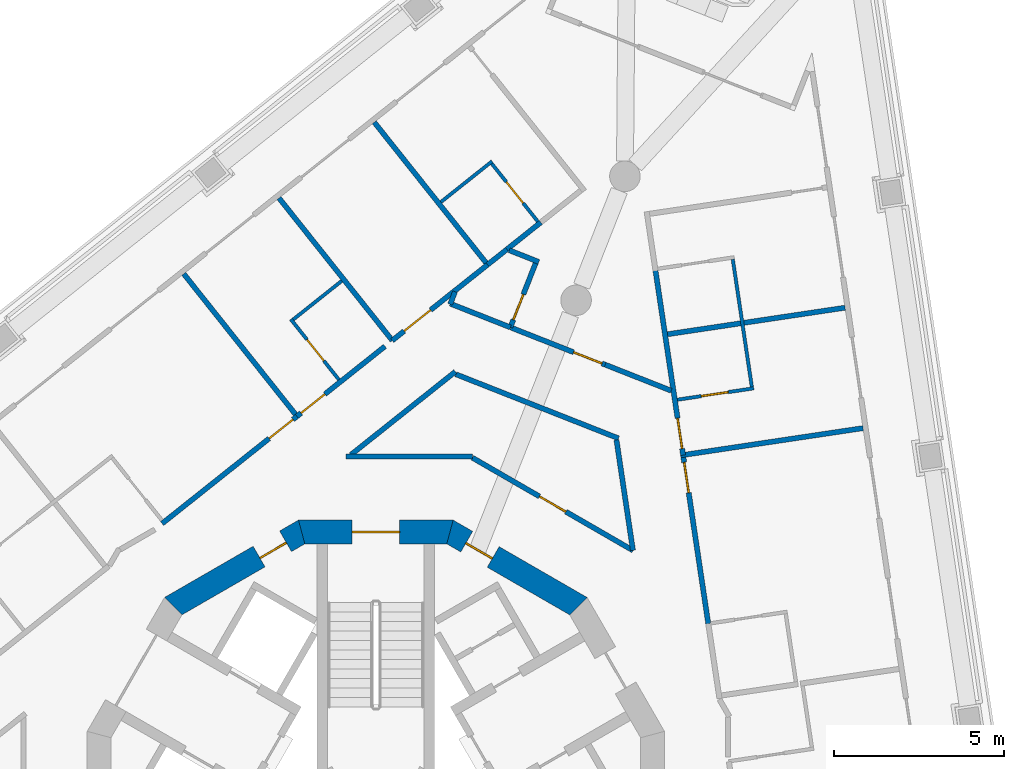
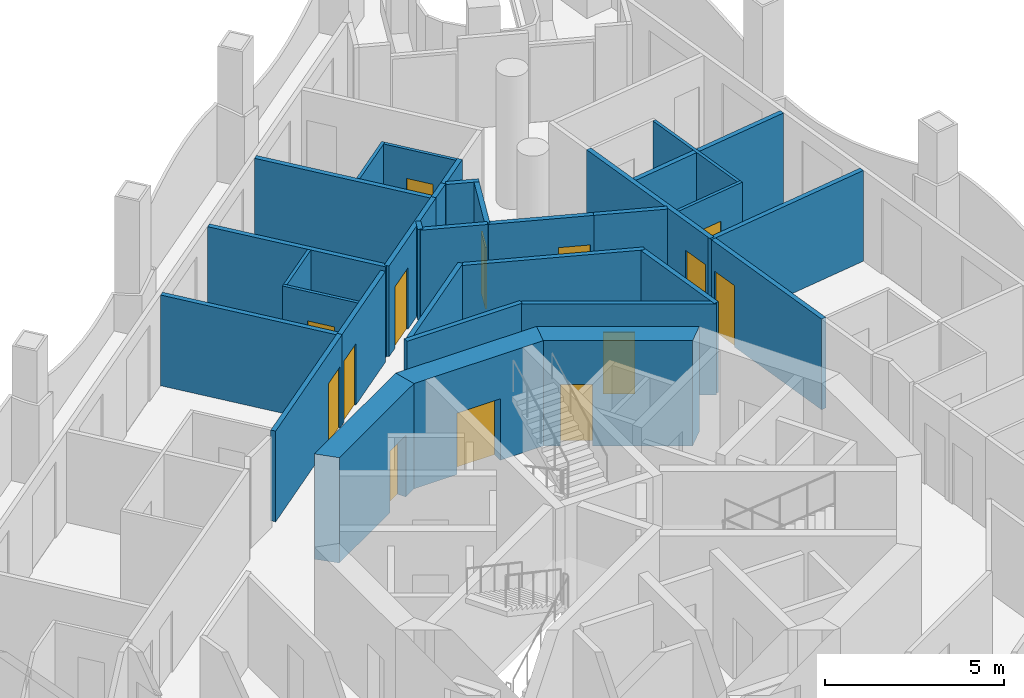
# One storey, part 8 of 16: 32 walls, 14 doors, 14 openings.
"""IFC4 building model written with IfcOpenShell, lengths in metres."""

from ifc_helpers import new_model, si_unit, direction, frame, frame_2d, origin, place, context, subcontext, project, spatial, polyline, rectangle, outline, extrude, material, layer, layer_set, type_object, element, fill, save


model = new_model("IFC4")

# Units and contexts
model_context = context("Model", 3, precision=1e-05, world=origin(), true_north=direction((0.0, 1.0)))
body_context = subcontext(model_context, "Body", "Model", "MODEL_VIEW")
ifc_project = project(units=[si_unit("LENGTHUNIT", "METRE"), si_unit("AREAUNIT", "SQUARE_METRE"), si_unit("VOLUMEUNIT", "CUBIC_METRE"), si_unit("PLANEANGLEUNIT", "RADIAN"), si_unit("MASSUNIT", "GRAM", prefix="KILO")], contexts=[model_context])

# Site, building, storey
site_placement = place(None, origin())
site = spatial("IfcSite", under=ifc_project, at=site_placement, CompositionType="ELEMENT")
building_placement = place(site_placement, origin())
building = spatial("IfcBuilding", under=site, at=building_placement, Name="Trine Commons Tower", CompositionType="ELEMENT")
storey_placement = place(building_placement, frame((0.0, 0.0, 226.800048828125)))
storey = spatial("IfcBuildingStorey", under=building, at=storey_placement, Name="L59", CompositionType="ELEMENT", Elevation=226.800048828125)

# Wall, opening, door
ifc_material_1 = material(Name="Concrete C60/75", Category="concrete")
ifc_layer_1 = layer(ifc_material_1, 0.699951171875)
ifc_layer_set_1 = layer_set([ifc_layer_1], Name="Concrete C60/75")
wall_type_1 = type_object("IfcWallType", Name="RC shear wall 700 mm, C60/75", PredefinedType="SHEAR", material=ifc_layer_set_1)
wall_1_placement = place(storey_placement, frame((86.047607421875, 68.41943359375, 0.0), z_axis=(0.0, 0.0, 1.0), x_axis=(-0.866034756103, 0.499983800959, 0.0)))
wall_1 = element("IfcWall", 1, at=wall_1_placement, inside=storey, type_object=wall_type_1, Name="Core wall CWF-03 L59", PredefinedType="SHEAR", context=body_context, shape_type="SweptSolid", body=[
    extrude(outline(polyline([(0.0, -0.35009765625), (4.55517578125, -0.35009765625), (4.36767578125, 0.35009765625), (0.1875, 0.35009765625), (0.0, -0.35009765625)])), origin(), (0.0, 0.0, 1.0), 3.599853515625),
])
opening_1_placement = place(wall_1_placement, frame((2.990966796875, 0.0, 0.0)))
opening_1 = element("IfcOpeningElement", 2, at=opening_1_placement, cuts=wall_1, Name="Opening K15.14", PredefinedType="OPENING", context=body_context, shape_type="SweptSolid", body=[
    extrude(rectangle(XDim=0.89990234375, YDim=2.10009765625, at=frame_2d((0.449951171875, 1.050048828125))), frame((0.0, 0.35986328125, 0.0), z_axis=(0.0, -1.0, 0.0), x_axis=(1.0, 0.0, 0.0)), (0.0, 0.0, 1.0), 0.719970703125),
])
ifc_material_2 = material(Name="Steel door leaf, fire-rated", Category="steel")
door_type_1 = type_object("IfcDoorType", Name="Core room door, single leaf 900 x 2100, FD30S", OperationType="SINGLE_SWING_LEFT", PredefinedType="DOOR", material=ifc_material_2)
door_1_placement = place(opening_1_placement, origin())
door_1 = element("IfcDoor", 3, at=door_1_placement, inside=storey, type_object=door_type_1, Name="Door to Core WC L59", OperationType="SINGLE_SWING_RIGHT", OverallHeight=2.10009765625, OverallWidth=0.89990234375, PredefinedType="DOOR", context=body_context, shape_type="SweptSolid", body=[
    extrude(rectangle(XDim=0.89990234375, YDim=2.10009765625, at=frame_2d((0.449951171875, 1.050048828125))), frame((0.0, 0.0751953125, 0.0), z_axis=(0.0, -1.0, 0.0), x_axis=(1.0, 0.0, 0.0)), (0.0, 0.0, 1.0), 0.050048828125),
])
fill(opening_1, door_1)

wall_2_placement = place(storey_placement, frame((82.277587890625, 70.650146484375, 0.0), z_axis=(0.0, 0.0, 1.0), x_axis=(-1.0, 0.0, 0.0)))
wall_2 = element("IfcWall", 4, at=wall_2_placement, inside=storey, type_object=wall_type_1, Name="Core wall CWF-04 L59", PredefinedType="SHEAR", context=body_context, shape_type="SweptSolid", body=[
    extrude(outline(polyline([(0.0, -0.35009765625), (4.55517578125, -0.35009765625), (4.36767578125, 0.35009765625), (0.1875, 0.35009765625), (0.0, -0.35009765625)])), origin(), (0.0, 0.0, 1.0), 3.599853515625),
])
opening_2_placement = place(wall_2_placement, frame((1.57763671875, 0.0, 0.0)))
opening_2 = element("IfcOpeningElement", 5, at=opening_2_placement, cuts=wall_2, Name="Opening K15.01", PredefinedType="OPENING", context=body_context, shape_type="SweptSolid", body=[
    extrude(rectangle(XDim=1.39990234375, YDim=2.10009765625, at=frame_2d((0.699951171875, 1.050048828125))), frame((0.0, 0.35986328125, 0.0), z_axis=(0.0, -1.0, 0.0), x_axis=(1.0, 0.0, 0.0)), (0.0, 0.0, 1.0), 0.719970703125),
])
ifc_material_3 = material(Name="Steel door leaves, fire-rated", Category="steel")
door_type_2 = type_object("IfcDoorType", Name="Stair door, double leaf 1400 x 2100, FD90", OperationType="DOUBLE_DOOR_SINGLE_SWING", PredefinedType="DOOR", material=ifc_material_3)
door_2_placement = place(opening_2_placement, origin())
door_2 = element("IfcDoor", 6, at=door_2_placement, inside=storey, type_object=door_type_2, Name="Stair door to Exit stair ST1C L59", OperationType="DOUBLE_DOOR_SINGLE_SWING", OverallHeight=2.10009765625, OverallWidth=1.39990234375, PredefinedType="DOOR", context=body_context, shape_type="SweptSolid", body=[
    extrude(rectangle(XDim=1.39990234375, YDim=2.10009765625, at=frame_2d((0.699951171875, 1.050048828125))), frame((0.0, 0.02490234375, 0.0), z_axis=(0.0, -1.0, 0.0), x_axis=(1.0, 0.0, 0.0)), (0.0, 0.0, 1.0), 0.050048828125),
])
fill(opening_2, door_2)

wall_3_placement = place(storey_placement, frame((77.8974609375, 70.697021484375, 0.0), z_axis=(0.0, 0.0, 1.0), x_axis=(-0.866034756103, -0.499983800959, 0.0)))
wall_3 = element("IfcWall", 7, at=wall_3_placement, inside=storey, type_object=wall_type_1, Name="Core wall CWF-05 L59", PredefinedType="SHEAR", context=body_context, shape_type="SweptSolid", body=[
    extrude(outline(polyline([(0.0, -0.35009765625), (4.55517578125, -0.35009765625), (4.36767578125, 0.35009765625), (0.1875, 0.35009765625), (0.0, -0.35009765625)])), origin(), (0.0, 0.0, 1.0), 3.599853515625),
])
opening_3_placement = place(wall_3_placement, frame((0.641845703125, 0.0, 0.0)))
opening_3 = element("IfcOpeningElement", 8, at=opening_3_placement, cuts=wall_3, Name="Opening K15.15", PredefinedType="OPENING", context=body_context, shape_type="SweptSolid", body=[
    extrude(rectangle(XDim=0.89990234375, YDim=2.10009765625, at=frame_2d((0.449951171875, 1.050048828125))), frame((0.0, 0.35986328125, 0.0), z_axis=(0.0, -1.0, 0.0), x_axis=(1.0, 0.0, 0.0)), (0.0, 0.0, 1.0), 0.719970703125),
])
door_3_placement = place(opening_3_placement, origin())
door_3 = element("IfcDoor", 9, at=door_3_placement, inside=storey, type_object=door_type_1, Name="Door to Accessible WC L59", OperationType="SINGLE_SWING_LEFT", OverallHeight=2.10009765625, OverallWidth=0.89990234375, PredefinedType="DOOR", context=body_context, shape_type="SweptSolid", body=[
    extrude(rectangle(XDim=0.89990234375, YDim=2.10009765625, at=frame_2d((0.449951171875, 1.050048828125))), frame((0.0, 0.0751953125, 0.0), z_axis=(0.0, -1.0, 0.0), x_axis=(1.0, 0.0, 0.0)), (0.0, 0.0, 1.0), 0.050048828125),
])
fill(opening_3, door_3)

ifc_material_4 = material(Name="Gypsum plasterboard on steel stud", Category="steel")
ifc_layer_2 = layer(ifc_material_4, 0.14990234375)
ifc_layer_set_2 = layer_set([ifc_layer_2], Name="Gypsum plasterboard on steel stud")
wall_type_2 = type_object("IfcWallType", Name="Unit and corridor wall 150 mm, EI 60", PredefinedType="PARTITIONING", material=ifc_layer_set_2)
wall_4_placement = place(storey_placement, frame((73.706787109375, 70.89892578125, 0.0), z_axis=(0.0, 0.0, 1.0), x_axis=(0.782685143932, 0.622417838327, 0.0)))
wall_4 = element("IfcWall", 10, at=wall_4_placement, inside=storey, type_object=wall_type_2, Name="Partition 036", PredefinedType="PARTITIONING", context=body_context, shape_type="SweptSolid", body=[
    extrude(rectangle(XDim=5.078857421875, YDim=0.14990234375, at=frame_2d((2.53955078125, 0.0))), origin(), (0.0, 0.0, 1.0), 3.099853515625),
])
opening_4_placement = place(wall_4_placement, frame((4.025146484375, 0.0, 0.0)))
opening_4 = element("IfcOpeningElement", 11, at=opening_4_placement, cuts=wall_4, Name="Opening D-6C08", PredefinedType="OPENING", context=body_context, shape_type="SweptSolid", body=[
    extrude(rectangle(XDim=0.89990234375, YDim=2.10009765625, at=frame_2d((0.449951171875, 1.050048828125))), frame((0.0, 0.0849609375, 0.0), z_axis=(0.0, -1.0, 0.0), x_axis=(1.0, 0.0, 0.0)), (0.0, 0.0, 1.0), 0.169921875),
])
ifc_material_5 = material(Name="Timber fire door set", Category="wood")
door_type_3 = type_object("IfcDoorType", Name="Bedroom door 900 x 2100, FD30S", OperationType="NOTDEFINED", PredefinedType="DOOR", material=ifc_material_5)
door_4_placement = place(opening_4_placement, origin())
door_4 = element("IfcDoor", 12, at=door_4_placement, inside=storey, type_object=door_type_3, Name="Door D-6C08", OperationType="SINGLE_SWING_RIGHT", OverallHeight=2.10009765625, OverallWidth=0.89990234375, PredefinedType="DOOR", context=body_context, shape_type="SweptSolid", body=[
    extrude(rectangle(XDim=0.89990234375, YDim=2.10009765625, at=frame_2d((0.449951171875, 1.050048828125))), frame((0.0, 0.02490234375, 0.0), z_axis=(0.0, -1.0, 0.0), x_axis=(1.0, 0.0, 0.0)), (0.0, 0.0, 1.0), 0.050048828125),
])
fill(opening_4, door_4)

# Walls
wall_5_placement = place(storey_placement, frame((74.343017578125, 78.252685546875, 0.0), z_axis=(0.0, 0.0, 1.0), x_axis=(0.622444463897, -0.782663969634, 0.0)))
element("IfcWall", 13, at=wall_5_placement, inside=storey, type_object=wall_type_2, Name="Partition 037", PredefinedType="PARTITIONING", context=body_context, shape_type="SweptSolid", body=[
    extrude(rectangle(XDim=5.284423828125, YDim=0.14990234375, at=frame_2d((2.64208984375, 0.0))), origin(), (0.0, 0.0, 1.0), 3.099853515625),
])
wall_6_placement = place(storey_placement, frame((77.14892578125, 80.485595703125, 0.0), z_axis=(0.0, 0.0, 1.0), x_axis=(0.622587598128, -0.782550115109, 0.0)))
element("IfcWall", 14, at=wall_6_placement, inside=storey, type_object=wall_type_2, Name="Partition 044", PredefinedType="PARTITIONING", context=body_context, shape_type="SweptSolid", body=[
    extrude(rectangle(XDim=5.360107421875, YDim=0.14990234375, at=frame_2d((2.68017578125, 0.0))), origin(), (0.0, 0.0, 1.0), 3.099853515625),
])

# Wall, opening, door
wall_7_placement = place(storey_placement, frame((77.676025390625, 74.055908203125, 0.0), z_axis=(0.0, 0.0, 1.0), x_axis=(0.782691617443, 0.622409697855, 0.0)))
wall_7 = element("IfcWall", 15, at=wall_7_placement, inside=storey, type_object=wall_type_2, Name="Partition 048", PredefinedType="PARTITIONING", context=body_context, shape_type="SweptSolid", body=[
    extrude(rectangle(XDim=3.31298828125, YDim=0.14990234375, at=frame_2d((1.656494140625, 0.0))), origin(), (0.0, 0.0, 1.0), 3.099853515625),
])
opening_5_placement = place(wall_7_placement, frame((0.153564453125, 0.0, 0.0)))
opening_5 = element("IfcOpeningElement", 16, at=opening_5_placement, cuts=wall_7, Name="Opening D-6C09", PredefinedType="OPENING", context=body_context, shape_type="SweptSolid", body=[
    extrude(rectangle(XDim=0.89990234375, YDim=2.10009765625, at=frame_2d((0.449951171875, 1.050048828125))), frame((0.0, 0.0849609375, 0.0), z_axis=(0.0, -1.0, 0.0), x_axis=(1.0, 0.0, 0.0)), (0.0, 0.0, 1.0), 0.169921875),
])
door_5_placement = place(opening_5_placement, origin())
door_5 = element("IfcDoor", 17, at=door_5_placement, inside=storey, type_object=door_type_3, Name="Door D-6C09", OperationType="SINGLE_SWING_LEFT", OverallHeight=2.10009765625, OverallWidth=0.89990234375, PredefinedType="DOOR", context=body_context, shape_type="SweptSolid", body=[
    extrude(rectangle(XDim=0.89990234375, YDim=2.10009765625, at=frame_2d((0.449951171875, 1.050048828125))), frame((0.0, 0.02490234375, 0.0), z_axis=(0.0, -1.0, 0.0), x_axis=(1.0, 0.0, 0.0)), (0.0, 0.0, 1.0), 0.050048828125),
])
fill(opening_5, door_5)

# Walls
wall_8_placement = place(storey_placement, frame((79.125, 72.875, 0.0), z_axis=(0.0, 0.0, 1.0), x_axis=(1.0, 0.0, 0.0)))
element("IfcWall", 18, at=wall_8_placement, inside=storey, type_object=wall_type_2, Name="Partition 050", PredefinedType="PARTITIONING", context=body_context, shape_type="SweptSolid", body=[
    extrude(rectangle(XDim=3.72998046875, YDim=0.14990234375, at=frame_2d((1.864990234375, 0.0))), origin(), (0.0, 0.0, 1.0), 3.099853515625),
])
wall_9_placement = place(storey_placement, frame((79.2626953125, 72.921630859375, 0.0), z_axis=(0.0, 0.0, 1.0), x_axis=(0.782518607784, 0.622627198629, 0.0)))
element("IfcWall", 19, at=wall_9_placement, inside=storey, type_object=wall_type_2, Name="Partition 051", PredefinedType="PARTITIONING", context=body_context, shape_type="SweptSolid", body=[
    extrude(rectangle(XDim=3.934814453125, YDim=0.14990234375, at=frame_2d((1.96728515625, 0.0))), origin(), (0.0, 0.0, 1.0), 3.099853515625),
])
wall_10_placement = place(storey_placement, frame((79.954833984375, 82.7177734375, 0.0), z_axis=(0.0, 0.0, 1.0), x_axis=(0.622585933561, -0.782551439416, 0.0)))
element("IfcWall", 20, at=wall_10_placement, inside=storey, type_object=wall_type_2, Name="Partition 053", PredefinedType="PARTITIONING", context=body_context, shape_type="SweptSolid", body=[
    extrude(rectangle(XDim=5.28515625, YDim=0.14990234375, at=frame_2d((2.642578125, 0.0))), origin(), (0.0, 0.0, 1.0), 3.099853515625),
])

# Wall, opening, door
wall_11_placement = place(storey_placement, frame((80.48291015625, 76.2890625, 0.0), z_axis=(0.0, 0.0, 1.0), x_axis=(0.782683898342, 0.622419404643, 0.0)))
wall_11 = element("IfcWall", 21, at=wall_11_placement, inside=storey, type_object=wall_type_2, Name="Partition 054", PredefinedType="PARTITIONING", context=body_context, shape_type="SweptSolid", body=[
    extrude(rectangle(XDim=3.589111328125, YDim=0.14990234375, at=frame_2d((1.79443359375, 0.0))), origin(), (0.0, 0.0, 1.0), 3.099853515625),
])
opening_6_placement = place(wall_11_placement, frame((0.447265625, 0.0, 0.0)))
opening_6 = element("IfcOpeningElement", 22, at=opening_6_placement, cuts=wall_11, Name="Opening D-6C10", PredefinedType="OPENING", context=body_context, shape_type="SweptSolid", body=[
    extrude(rectangle(XDim=1.0, YDim=2.10009765625, at=frame_2d((0.5, 1.050048828125))), frame((0.0, 0.0849609375, 0.0), z_axis=(0.0, -1.0, 0.0), x_axis=(1.0, 0.0, 0.0)), (0.0, 0.0, 1.0), 0.169921875),
])
ifc_material_6 = material(Name="Painted timber", Category="wood")
door_type_4 = type_object("IfcDoorType", Name="Amenity room door 1000 x 2100, NOT RATED", OperationType="NOTDEFINED", PredefinedType="DOOR", material=ifc_material_6)
door_6_placement = place(opening_6_placement, origin())
door_6 = element("IfcDoor", 23, at=door_6_placement, inside=storey, type_object=door_type_4, Name="Door D-6C10", OperationType="SINGLE_SWING_LEFT", OverallHeight=2.10009765625, OverallWidth=1.0, PredefinedType="DOOR", context=body_context, shape_type="SweptSolid", body=[
    extrude(rectangle(XDim=1.0, YDim=2.10009765625, at=frame_2d((0.5, 1.050048828125))), frame((0.0, 0.02490234375, 0.0), z_axis=(0.0, -1.0, 0.0), x_axis=(1.0, 0.0, 0.0)), (0.0, 0.0, 1.0), 0.050048828125),
])
fill(opening_6, door_6)

# Walls
wall_12_placement = place(storey_placement, frame((82.19189453125, 77.3759765625, 0.0), z_axis=(0.0, 0.0, 1.0), x_axis=(0.93022308185, -0.366994574882, 0.0)))
element("IfcWall", 24, at=wall_12_placement, inside=storey, type_object=wall_type_2, Name="Partition 057", PredefinedType="PARTITIONING", context=body_context, shape_type="SweptSolid", body=[
    extrude(rectangle(XDim=1.9072265625, YDim=0.14990234375, at=frame_2d((0.95361328125, 0.0))), origin(), (0.0, 0.0, 1.0), 3.099853515625),
])
wall_13_placement = place(storey_placement, frame((82.188232421875, 77.3544921875, 0.0), z_axis=(0.0, 0.0, 1.0), x_axis=(0.365066779339, 0.930981335271, 0.0)))
element("IfcWall", 25, at=wall_13_placement, inside=storey, type_object=wall_type_2, Name="Partition 058", PredefinedType="PARTITIONING", context=body_context, shape_type="SweptSolid", body=[
    extrude(rectangle(XDim=0.39990234375, YDim=0.14990234375, at=frame_2d((0.199951171875, 0.0))), origin(), (0.0, 0.0, 1.0), 3.099853515625),
])
wall_14_placement = place(storey_placement, frame((82.352783203125, 75.297607421875, 0.0), z_axis=(0.0, 0.0, 1.0), x_axis=(0.930366278921, -0.366631404883, 0.0)))
element("IfcWall", 26, at=wall_14_placement, inside=storey, type_object=wall_type_2, Name="Partition 059", PredefinedType="PARTITIONING", context=body_context, shape_type="SweptSolid", body=[
    extrude(rectangle(XDim=5.15283203125, YDim=0.14990234375, at=frame_2d((2.576416015625, 0.0))), origin(), (0.0, 0.0, 1.0), 3.099853515625),
])

# Wall, opening, door
wall_15_placement = place(storey_placement, frame((82.844970703125, 72.83740234375, 0.0), z_axis=(0.0, 0.0, 1.0), x_axis=(0.865990633405, -0.500060219228, 0.0)))
wall_15 = element("IfcWall", 27, at=wall_15_placement, inside=storey, type_object=wall_type_2, Name="Partition 062", PredefinedType="PARTITIONING", context=body_context, shape_type="SweptSolid", body=[
    extrude(rectangle(XDim=5.464111328125, YDim=0.14990234375, at=frame_2d((2.73193359375, 0.0))), origin(), (0.0, 0.0, 1.0), 3.099853515625),
])
opening_7_placement = place(wall_15_placement, frame((2.280517578125, 0.0, 0.0)))
opening_7 = element("IfcOpeningElement", 28, at=opening_7_placement, cuts=wall_15, Name="Opening D-6C27", PredefinedType="OPENING", context=body_context, shape_type="SweptSolid", body=[
    extrude(rectangle(XDim=0.89990234375, YDim=2.10009765625, at=frame_2d((0.449951171875, 1.050048828125))), frame((0.0, 0.0849609375, 0.0), z_axis=(0.0, -1.0, 0.0), x_axis=(1.0, 0.0, 0.0)), (0.0, 0.0, 1.0), 0.169921875),
])
door_type_5 = type_object("IfcDoorType", Name="Service door 900 x 2100, FD30S", OperationType="NOTDEFINED", PredefinedType="DOOR", material=ifc_material_5)
door_7_placement = place(opening_7_placement, origin())
door_7 = element("IfcDoor", 29, at=door_7_placement, inside=storey, type_object=door_type_5, Name="Door D-6C27", OperationType="SINGLE_SWING_LEFT", OverallHeight=2.10009765625, OverallWidth=0.89990234375, PredefinedType="DOOR", context=body_context, shape_type="SweptSolid", body=[
    extrude(rectangle(XDim=0.89990234375, YDim=2.10009765625, at=frame_2d((0.449951171875, 1.050048828125))), frame((0.0, 0.02490234375, 0.0), z_axis=(0.0, -1.0, 0.0), x_axis=(1.0, 0.0, 0.0)), (0.0, 0.0, 1.0), 0.050048828125),
])
fill(opening_7, door_7)

# Walls
wall_16_placement = place(storey_placement, frame((83.2919921875, 78.52294921875, 0.0), z_axis=(0.0, 0.0, 1.0), x_axis=(0.782961678727, 0.622069939512, 0.0)))
element("IfcWall", 30, at=wall_16_placement, inside=storey, type_object=wall_type_2, Name="Partition 065", PredefinedType="PARTITIONING", context=body_context, shape_type="SweptSolid", body=[
    extrude(rectangle(XDim=0.726806640625, YDim=0.14990234375, at=frame_2d((0.36328125, 0.0))), origin(), (0.0, 0.0, 1.0), 3.099853515625),
])
wall_17_placement = place(storey_placement, frame((83.930908203125, 78.947509765625, 0.0), z_axis=(0.0, 0.0, 1.0), x_axis=(0.930564496223, -0.366128008175, 0.0)))
element("IfcWall", 31, at=wall_17_placement, inside=storey, type_object=wall_type_2, Name="Partition 067", PredefinedType="PARTITIONING", context=body_context, shape_type="SweptSolid", body=[
    extrude(rectangle(XDim=0.936767578125, YDim=0.14990234375, at=frame_2d((0.46826171875, 0.0))), origin(), (0.0, 0.0, 1.0), 3.099853515625),
])
wall_18_placement = place(storey_placement, frame((83.861083984375, 78.97509765625, 0.0), z_axis=(0.0, 0.0, 1.0), x_axis=(0.782507881156, 0.622640679629, 0.0)))
element("IfcWall", 32, at=wall_18_placement, inside=storey, type_object=wall_type_2, Name="Partition 068", PredefinedType="PARTITIONING", context=body_context, shape_type="SweptSolid", body=[
    extrude(rectangle(XDim=1.276611328125, YDim=0.14990234375, at=frame_2d((0.63818359375, 0.0))), origin(), (0.0, 0.0, 1.0), 3.099853515625),
])

# Wall, opening, door
wall_19_placement = place(storey_placement, frame((83.962890625, 76.677978515625, 0.0), z_axis=(0.0, 0.0, 1.0), x_axis=(0.366688940458, 0.9303436037, 0.0)))
wall_19 = element("IfcWall", 33, at=wall_19_placement, inside=storey, type_object=wall_type_2, Name="Partition 069", PredefinedType="PARTITIONING", context=body_context, shape_type="SweptSolid", body=[
    extrude(rectangle(XDim=2.025390625, YDim=0.14990234375, at=frame_2d((1.0126953125, 0.0))), origin(), (0.0, 0.0, 1.0), 3.099853515625),
])
opening_8_placement = place(wall_19_placement, frame((0.24267578125, 0.0, 0.0)))
opening_8 = element("IfcOpeningElement", 34, at=opening_8_placement, cuts=wall_19, Name="Opening D-6C04", PredefinedType="OPENING", context=body_context, shape_type="SweptSolid", body=[
    extrude(rectangle(XDim=0.800048828125, YDim=2.10009765625, at=frame_2d((0.39990234375, 1.050048828125))), frame((0.0, 0.0849609375, 0.0), z_axis=(0.0, -1.0, 0.0), x_axis=(1.0, 0.0, 0.0)), (0.0, 0.0, 1.0), 0.169921875),
])
door_type_6 = type_object("IfcDoorType", Name="Toilet door 800 x 2100, NOT RATED", OperationType="NOTDEFINED", PredefinedType="DOOR", material=ifc_material_6)
door_8_placement = place(opening_8_placement, origin())
door_8 = element("IfcDoor", 35, at=door_8_placement, inside=storey, type_object=door_type_6, Name="Door D-6C04", OperationType="SINGLE_SWING_LEFT", OverallHeight=2.10009765625, OverallWidth=0.800048828125, PredefinedType="DOOR", context=body_context, shape_type="SweptSolid", body=[
    extrude(rectangle(XDim=0.800048828125, YDim=2.10009765625, at=frame_2d((0.39990234375, 1.050048828125))), frame((0.0, 0.02490234375, 0.0), z_axis=(0.0, -1.0, 0.0), x_axis=(1.0, 0.0, 0.0)), (0.0, 0.0, 1.0), 0.050048828125),
])
fill(opening_8, door_8)

wall_20_placement = place(storey_placement, frame((83.97705078125, 76.672119140625, 0.0), z_axis=(0.0, 0.0, 1.0), x_axis=(0.930513911047, -0.36625655127, 0.0)))
wall_20 = element("IfcWall", 36, at=wall_20_placement, inside=storey, type_object=wall_type_2, Name="Partition 070", PredefinedType="PARTITIONING", context=body_context, shape_type="SweptSolid", body=[
    extrude(rectangle(XDim=2.987548828125, YDim=0.14990234375, at=frame_2d((1.49365234375, 0.0))), origin(), (0.0, 0.0, 1.0), 3.099853515625),
])
opening_9_placement = place(wall_20_placement, frame((1.987548828125, 0.0, 0.0)))
opening_9 = element("IfcOpeningElement", 37, at=opening_9_placement, cuts=wall_20, Name="Opening D-6C01", PredefinedType="OPENING", context=body_context, shape_type="SweptSolid", body=[
    extrude(rectangle(XDim=0.89990234375, YDim=2.10009765625, at=frame_2d((0.449951171875, 1.050048828125))), frame((0.0, 0.0849609375, 0.0), z_axis=(0.0, -1.0, 0.0), x_axis=(1.0, 0.0, 0.0)), (0.0, 0.0, 1.0), 0.169921875),
])
door_type_7 = type_object("IfcDoorType", Name="Cluster entrance door 900 x 2100, FD30S", OperationType="NOTDEFINED", PredefinedType="DOOR", material=ifc_material_5)
door_9_placement = place(opening_9_placement, origin())
door_9 = element("IfcDoor", 38, at=door_9_placement, inside=storey, type_object=door_type_7, Name="Door D-6C01", OperationType="SINGLE_SWING_RIGHT", OverallHeight=2.10009765625, OverallWidth=0.89990234375, PredefinedType="DOOR", context=body_context, shape_type="SweptSolid", body=[
    extrude(rectangle(XDim=0.89990234375, YDim=2.10009765625, at=frame_2d((0.449951171875, 1.050048828125))), frame((0.0, 0.02490234375, 0.0), z_axis=(0.0, -1.0, 0.0), x_axis=(1.0, 0.0, 0.0)), (0.0, 0.0, 1.0), 0.050048828125),
])
fill(opening_9, door_9)

# Walls
wall_21_placement = place(storey_placement, frame((86.757080078125, 75.577880859375, 0.0), z_axis=(0.0, 0.0, 1.0), x_axis=(0.930326271928, -0.366732910659, 0.0)))
element("IfcWall", 39, at=wall_21_placement, inside=storey, type_object=wall_type_2, Name="Partition 079", PredefinedType="PARTITIONING", context=body_context, shape_type="SweptSolid", body=[
    extrude(rectangle(XDim=2.089599609375, YDim=0.14990234375, at=frame_2d((1.044921875, 0.0))), origin(), (0.0, 0.0, 1.0), 3.099853515625),
])
wall_22_placement = place(storey_placement, frame((87.088134765625, 73.36181640625, 0.0), z_axis=(0.0, 0.0, 1.0), x_axis=(0.147629393442, -0.989042750437, 0.0)))
element("IfcWall", 40, at=wall_22_placement, inside=storey, type_object=wall_type_2, Name="Partition 081", PredefinedType="PARTITIONING", context=body_context, shape_type="SweptSolid", body=[
    extrude(rectangle(XDim=3.291015625, YDim=0.14990234375, at=frame_2d((1.6455078125, 0.0))), origin(), (0.0, 0.0, 1.0), 3.099853515625),
])

# Wall, opening, door
wall_23_placement = place(storey_placement, frame((88.23095703125, 78.39599609375, 0.0), z_axis=(0.0, 0.0, 1.0), x_axis=(0.147922673627, -0.988998929538, 0.0)))
wall_23 = element("IfcWall", 41, at=wall_23_placement, inside=storey, type_object=wall_type_2, Name="Partition 085", PredefinedType="PARTITIONING", context=body_context, shape_type="SweptSolid", body=[
    extrude(rectangle(XDim=5.5439453125, YDim=0.14990234375, at=frame_2d((2.77197265625, 0.0))), origin(), (0.0, 0.0, 1.0), 3.099853515625),
])
opening_10_placement = place(wall_23_placement, frame((4.4462890625, 0.0, 0.0)))
opening_10 = element("IfcOpeningElement", 42, at=opening_10_placement, cuts=wall_23, Name="Opening D-6C13", PredefinedType="OPENING", context=body_context, shape_type="SweptSolid", body=[
    extrude(rectangle(XDim=0.89990234375, YDim=2.10009765625, at=frame_2d((0.449951171875, 1.050048828125))), frame((0.0, 0.0849609375, 0.0), z_axis=(0.0, -1.0, 0.0), x_axis=(1.0, 0.0, 0.0)), (0.0, 0.0, 1.0), 0.169921875),
])
door_10_placement = place(opening_10_placement, origin())
door_10 = element("IfcDoor", 43, at=door_10_placement, inside=storey, type_object=door_type_3, Name="Door D-6C13", OperationType="SINGLE_SWING_RIGHT", OverallHeight=2.10009765625, OverallWidth=0.89990234375, PredefinedType="DOOR", context=body_context, shape_type="SweptSolid", body=[
    extrude(rectangle(XDim=0.89990234375, YDim=2.10009765625, at=frame_2d((0.449951171875, 1.050048828125))), frame((0.0, 0.02490234375, 0.0), z_axis=(0.0, -1.0, 0.0), x_axis=(1.0, 0.0, 0.0)), (0.0, 0.0, 1.0), 0.050048828125),
])
fill(opening_10, door_10)

# Walls
wall_24_placement = place(storey_placement, frame((88.59423828125, 76.47509765625, 0.0), z_axis=(0.0, 0.0, 1.0), x_axis=(0.989020900083, 0.147775705715, 0.0)))
element("IfcWall", 44, at=wall_24_placement, inside=storey, type_object=wall_type_2, Name="Partition 087", PredefinedType="PARTITIONING", context=body_context, shape_type="SweptSolid", body=[
    extrude(rectangle(XDim=5.28515625, YDim=0.14990234375, at=frame_2d((2.642578125, 0.0))), origin(), (0.0, 0.0, 1.0), 3.099853515625),
])
wall_25_placement = place(storey_placement, frame((88.975830078125, 72.906005859375, 0.0), z_axis=(0.0, 0.0, 1.0), x_axis=(0.989026447028, 0.147738576813, 0.0)))
element("IfcWall", 45, at=wall_25_placement, inside=storey, type_object=wall_type_2, Name="Partition 090", PredefinedType="PARTITIONING", context=body_context, shape_type="SweptSolid", body=[
    extrude(rectangle(XDim=5.43505859375, YDim=0.14990234375, at=frame_2d((2.717529296875, 0.0))), origin(), (0.0, 0.0, 1.0), 3.099853515625),
])

# Wall, opening, door
wall_26_placement = place(storey_placement, frame((89.06103515625, 72.8466796875, 0.0), z_axis=(0.0, 0.0, 1.0), x_axis=(0.147716396188, -0.989029760067, 0.0)))
wall_26 = element("IfcWall", 46, at=wall_26_placement, inside=storey, type_object=wall_type_2, Name="Partition 091", PredefinedType="PARTITIONING", context=body_context, shape_type="SweptSolid", body=[
    extrude(rectangle(XDim=4.955078125, YDim=0.14990234375, at=frame_2d((2.4775390625, 0.0))), origin(), (0.0, 0.0, 1.0), 3.099853515625),
])
opening_11_placement = place(wall_26_placement, frame((0.14990234375, 0.0, 0.0)))
opening_11 = element("IfcOpeningElement", 47, at=opening_11_placement, cuts=wall_26, Name="Opening D-6C14", PredefinedType="OPENING", context=body_context, shape_type="SweptSolid", body=[
    extrude(rectangle(XDim=0.89990234375, YDim=2.10009765625, at=frame_2d((0.449951171875, 1.050048828125))), frame((0.0, 0.0849609375, 0.0), z_axis=(0.0, -1.0, 0.0), x_axis=(1.0, 0.0, 0.0)), (0.0, 0.0, 1.0), 0.169921875),
])
door_11_placement = place(opening_11_placement, origin())
door_11 = element("IfcDoor", 48, at=door_11_placement, inside=storey, type_object=door_type_3, Name="Door D-6C14", OperationType="SINGLE_SWING_LEFT", OverallHeight=2.10009765625, OverallWidth=0.89990234375, PredefinedType="DOOR", context=body_context, shape_type="SweptSolid", body=[
    extrude(rectangle(XDim=0.89990234375, YDim=2.10009765625, at=frame_2d((0.449951171875, 1.050048828125))), frame((0.0, 0.02490234375, 0.0), z_axis=(0.0, -1.0, 0.0), x_axis=(1.0, 0.0, 0.0)), (0.0, 0.0, 1.0), 0.050048828125),
])
fill(opening_11, door_11)

ifc_layer_3 = layer(ifc_material_4, 0.10009765625)
ifc_layer_set_3 = layer_set([ifc_layer_3], Name="Gypsum plasterboard on steel stud")
wall_type_3 = type_object("IfcWallType", Name="Unit partition 100 mm, no rating", PredefinedType="PARTITIONING", material=ifc_layer_set_3)
wall_27_placement = place(storey_placement, frame((77.496826171875, 76.916015625, 0.0), z_axis=(0.0, 0.0, 1.0), x_axis=(0.622625135388, -0.78252024944, 0.0)))
wall_27 = element("IfcWall", 49, at=wall_27_placement, inside=storey, type_object=wall_type_3, Name="Partition 046", PredefinedType="PARTITIONING", context=body_context, shape_type="SweptSolid", body=[
    extrude(rectangle(XDim=2.275146484375, YDim=0.10009765625, at=frame_2d((1.1376953125, 0.0))), origin(), (0.0, 0.0, 1.0), 3.099853515625),
])
opening_12_placement = place(wall_27_placement, frame((0.7626953125, 0.0, 0.0)))
opening_12 = element("IfcOpeningElement", 50, at=opening_12_placement, cuts=wall_27, Name="Opening D-6C33", PredefinedType="OPENING", context=body_context, shape_type="SweptSolid", body=[
    extrude(rectangle(XDim=0.800048828125, YDim=2.10009765625, at=frame_2d((0.39990234375, 1.050048828125))), frame((0.0, 0.06005859375, 0.0), z_axis=(0.0, -1.0, 0.0), x_axis=(1.0, 0.0, 0.0)), (0.0, 0.0, 1.0), 0.1201171875),
])
door_type_8 = type_object("IfcDoorType", Name="Internal door 800 x 2100, NOT RATED", OperationType="NOTDEFINED", PredefinedType="DOOR", material=ifc_material_6)
door_12_placement = place(opening_12_placement, frame((0.800048828125, 0.0, 0.0), z_axis=(0.0, 0.0, 1.0), x_axis=(-1.0, 0.0, 0.0)))
door_12 = element("IfcDoor", 51, at=door_12_placement, inside=storey, type_object=door_type_8, Name="Door D-6C33", OperationType="SINGLE_SWING_LEFT", OverallHeight=2.10009765625, OverallWidth=0.800048828125, PredefinedType="DOOR", context=body_context, shape_type="SweptSolid", body=[
    extrude(rectangle(XDim=0.800048828125, YDim=2.10009765625, at=frame_2d((0.39990234375, 1.050048828125))), frame((0.0, 0.02490234375, 0.0), z_axis=(0.0, -1.0, 0.0), x_axis=(1.0, 0.0, 0.0)), (0.0, 0.0, 1.0), 0.050048828125),
])
fill(opening_12, door_12)

# Walls
wall_28_placement = place(storey_placement, frame((77.567138671875, 76.908203125, 0.0), z_axis=(0.0, 0.0, 1.0), x_axis=(0.782627716851, 0.622490045557, 0.0)))
element("IfcWall", 52, at=wall_28_placement, inside=storey, type_object=wall_type_3, Name="Partition 047", PredefinedType="PARTITIONING", context=body_context, shape_type="SweptSolid", body=[
    extrude(rectangle(XDim=1.824951171875, YDim=0.10009765625, at=frame_2d((0.91259765625, 0.0))), origin(), (0.0, 0.0, 1.0), 3.099853515625),
])
wall_29_placement = place(storey_placement, frame((81.918701171875, 80.36962890625, 0.0), z_axis=(0.0, 0.0, 1.0), x_axis=(0.782536451706, 0.622604771706, 0.0)))
element("IfcWall", 53, at=wall_29_placement, inside=storey, type_object=wall_type_3, Name="Partition 056", PredefinedType="PARTITIONING", context=body_context, shape_type="SweptSolid", body=[
    extrude(rectangle(XDim=1.925048828125, YDim=0.10009765625, at=frame_2d((0.96240234375, 0.0))), origin(), (0.0, 0.0, 1.0), 3.099853515625),
])

# Wall, opening, door
wall_30_placement = place(storey_placement, frame((83.4169921875, 81.497802734375, 0.0), z_axis=(0.0, 0.0, 1.0), x_axis=(0.622598555727, -0.782541397248, 0.0)))
wall_30 = element("IfcWall", 54, at=wall_30_placement, inside=storey, type_object=wall_type_3, Name="Partition 066", PredefinedType="PARTITIONING", context=body_context, shape_type="SweptSolid", body=[
    extrude(rectangle(XDim=2.175048828125, YDim=0.10009765625, at=frame_2d((1.08740234375, 0.0))), origin(), (0.0, 0.0, 1.0), 3.099853515625),
])
opening_13_placement = place(wall_30_placement, frame((0.6875, 0.0, 0.0)))
opening_13 = element("IfcOpeningElement", 55, at=opening_13_placement, cuts=wall_30, Name="Opening D-6C34", PredefinedType="OPENING", context=body_context, shape_type="SweptSolid", body=[
    extrude(rectangle(XDim=0.800048828125, YDim=2.10009765625, at=frame_2d((0.39990234375, 1.050048828125))), frame((0.0, 0.06005859375, 0.0), z_axis=(0.0, -1.0, 0.0), x_axis=(1.0, 0.0, 0.0)), (0.0, 0.0, 1.0), 0.1201171875),
])
door_13_placement = place(opening_13_placement, origin())
door_13 = element("IfcDoor", 56, at=door_13_placement, inside=storey, type_object=door_type_8, Name="Door D-6C34", OperationType="SINGLE_SWING_LEFT", OverallHeight=2.10009765625, OverallWidth=0.800048828125, PredefinedType="DOOR", context=body_context, shape_type="SweptSolid", body=[
    extrude(rectangle(XDim=0.800048828125, YDim=2.10009765625, at=frame_2d((0.39990234375, 1.050048828125))), frame((0.0, 0.02490234375, 0.0), z_axis=(0.0, -1.0, 0.0), x_axis=(1.0, 0.0, 0.0)), (0.0, 0.0, 1.0), 0.050048828125),
])
fill(opening_13, door_13)

wall_31_placement = place(storey_placement, frame((88.882080078125, 74.546142578125, 0.0), z_axis=(0.0, 0.0, 1.0), x_axis=(0.989025888794, 0.147742313828, 0.0)))
wall_31 = element("IfcWall", 57, at=wall_31_placement, inside=storey, type_object=wall_type_3, Name="Partition 089", PredefinedType="PARTITIONING", context=body_context, shape_type="SweptSolid", body=[
    extrude(rectangle(XDim=2.275390625, YDim=0.10009765625, at=frame_2d((1.1376953125, 0.0))), origin(), (0.0, 0.0, 1.0), 3.099853515625),
])
opening_14_placement = place(wall_31_placement, frame((0.712646484375, 0.0, 0.0)))
opening_14 = element("IfcOpeningElement", 58, at=opening_14_placement, cuts=wall_31, Name="Opening D-6C36", PredefinedType="OPENING", context=body_context, shape_type="SweptSolid", body=[
    extrude(rectangle(XDim=0.800048828125, YDim=2.10009765625, at=frame_2d((0.39990234375, 1.050048828125))), frame((0.0, 0.06005859375, 0.0), z_axis=(0.0, -1.0, 0.0), x_axis=(1.0, 0.0, 0.0)), (0.0, 0.0, 1.0), 0.1201171875),
])
door_14_placement = place(opening_14_placement, frame((0.800048828125, 0.0, 0.0), z_axis=(0.0, 0.0, 1.0), x_axis=(-1.0, 0.0, 0.0)))
door_14 = element("IfcDoor", 59, at=door_14_placement, inside=storey, type_object=door_type_8, Name="Door D-6C36", OperationType="SINGLE_SWING_RIGHT", OverallHeight=2.10009765625, OverallWidth=0.800048828125, PredefinedType="DOOR", context=body_context, shape_type="SweptSolid", body=[
    extrude(rectangle(XDim=0.800048828125, YDim=2.10009765625, at=frame_2d((0.39990234375, 1.050048828125))), frame((0.0, 0.02490234375, 0.0), z_axis=(0.0, -1.0, 0.0), x_axis=(1.0, 0.0, 0.0)), (0.0, 0.0, 1.0), 0.050048828125),
])
fill(opening_14, door_14)

# Wall
wall_32_placement = place(storey_placement, frame((90.514404296875, 78.6826171875, 0.0), z_axis=(0.0, 0.0, 1.0), x_axis=(0.147715184464, -0.989029941043, 0.0)))
element("IfcWall", 60, at=wall_32_placement, inside=storey, type_object=wall_type_3, Name="Partition 103", PredefinedType="PARTITIONING", context=body_context, shape_type="SweptSolid", body=[
    extrude(rectangle(XDim=3.7998046875, YDim=0.10009765625, at=frame_2d((1.89990234375, 0.0))), origin(), (0.0, 0.0, 1.0), 3.099853515625),
])

save(model, "model.ifc")
